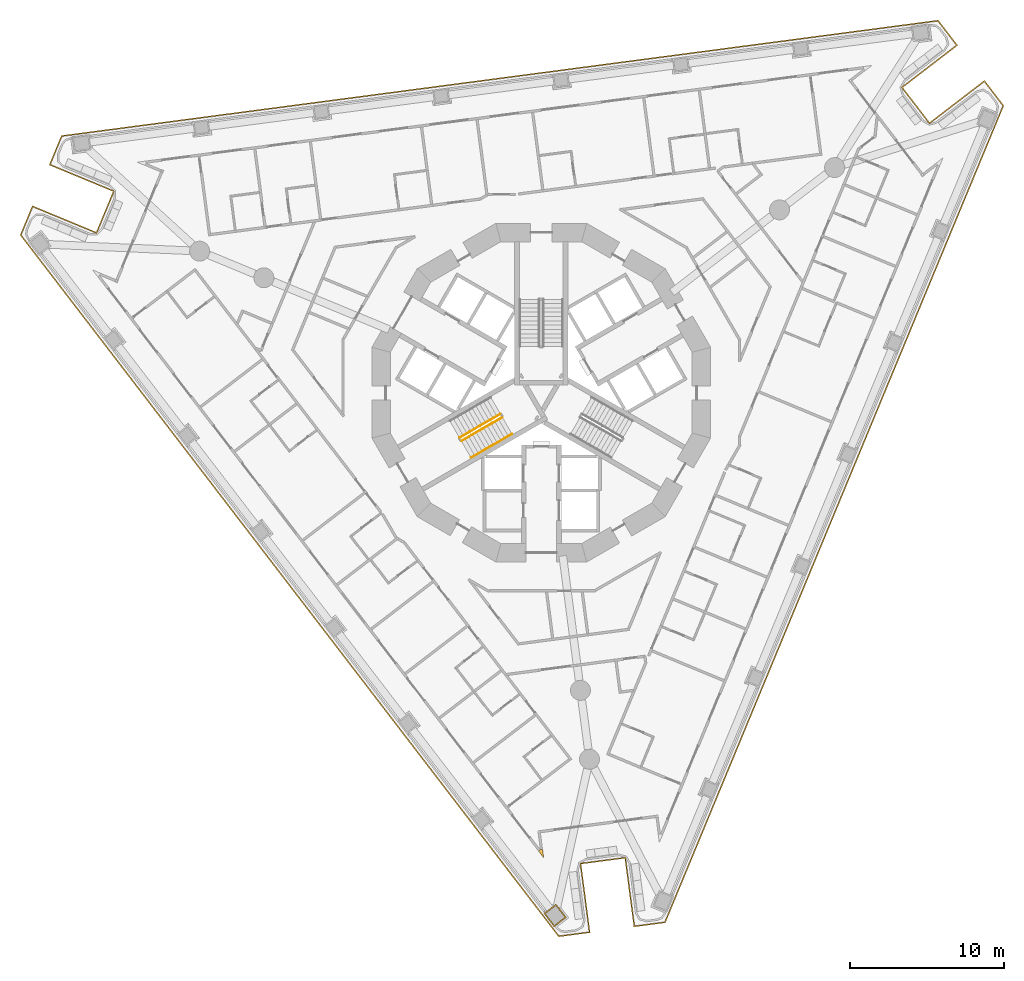
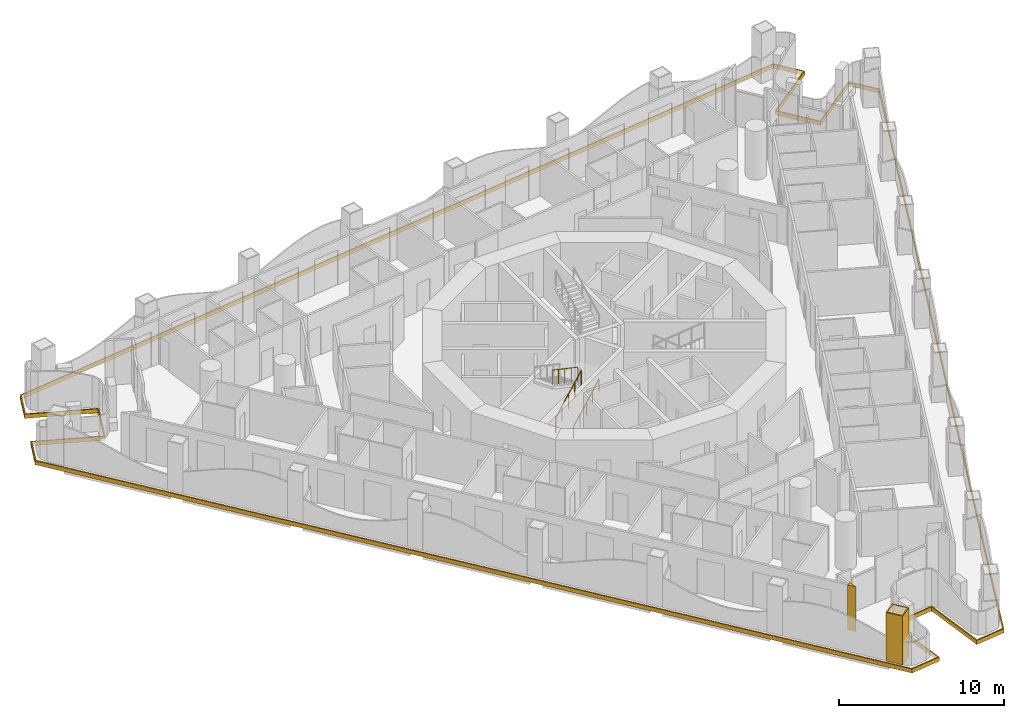
# One storey, part 13 of 19: 4 railings, 3 coverings.
"""IFC4 building model written with IfcOpenShell, lengths in metres."""

from ifc_helpers import new_model, si_unit, direction, frame, origin, origin_2d, place, context, subcontext, project, spatial, polyline, circle, outline, extrude, material, layer, layer_set, type_object, element, save


model = new_model("IFC4")

# Units and contexts
model_context = context("Model", 3, precision=1e-05, world=origin(), true_north=direction((0.0, 1.0)))
body_context = subcontext(model_context, "Body", "Model", "MODEL_VIEW")
ifc_project = project(units=[si_unit("LENGTHUNIT", "METRE"), si_unit("AREAUNIT", "SQUARE_METRE"), si_unit("VOLUMEUNIT", "CUBIC_METRE"), si_unit("PLANEANGLEUNIT", "RADIAN"), si_unit("MASSUNIT", "GRAM", prefix="KILO")], contexts=[model_context])

# Site, building, storey
site_placement = place(None, origin())
site = spatial("IfcSite", under=ifc_project, at=site_placement, CompositionType="ELEMENT")
building_placement = place(site_placement, origin())
building = spatial("IfcBuilding", under=site, at=building_placement, Name="Trine Commons Tower", CompositionType="ELEMENT")
storey_placement = place(building_placement, frame((0.0, 0.0, 75.60009765625)))
storey = spatial("IfcBuildingStorey", under=building, at=storey_placement, Name="L18", CompositionType="ELEMENT", Elevation=75.60009765625)

# Coverings
ifc_material_1 = material(Name="Aluminium-framed insulated wall panel", Category="aluminium")
ifc_layer_1 = layer(ifc_material_1, 0.14990234375)
ifc_layer_set_1 = layer_set([ifc_layer_1], Name="Aluminium-framed insulated wall panel")
covering_type_1 = type_object("IfcCoveringType", Name="Glazing corner post, aluminium", PredefinedType="CLADDING", material=ifc_layer_set_1)
covering_1_placement = place(storey_placement, origin())
element("IfcCovering", 1, at=covering_1_placement, inside=storey, type_object=covering_type_1, Name="Glazing corner post 2-12", PredefinedType="CLADDING", context=body_context, shape_type="SweptSolid", body=[
    extrude(outline(polyline([(79.818603515625, 32.697021484375), (80.159423828125, 32.2529296875), (80.086181640625, 32.80810546875), (79.9375, 32.788330078125), (79.818603515625, 32.697021484375)])), origin(), (0.0, 0.0, 1.0), 3.2998046875),
])
ifc_material_2 = material(Name="Limestone, honed", Category="masonry")
ifc_layer_2 = layer(ifc_material_2, 0.074951171875)
ifc_layer_set_2 = layer_set([ifc_layer_2], Name="Limestone, honed")
covering_type_2 = type_object("IfcCoveringType", Name="Limestone column cladding 75", PredefinedType="CLADDING", material=ifc_layer_set_2)
covering_2_placement = place(storey_placement, origin())
element("IfcCovering", 2, at=covering_2_placement, inside=storey, type_object=covering_type_2, Name="Limestone pier cladding 2-01", PredefinedType="CLADDING", context=body_context, shape_type="SweptSolid", body=[
    extrude(outline(polyline([(80.96142578125, 29.2529296875), (80.16796875, 28.644287109375), (80.837646484375, 27.771484375), (81.631103515625, 28.38037109375), (80.96142578125, 29.2529296875)]), holes=[polyline([(80.947509765625, 29.14794921875), (80.273193359375, 28.63037109375), (80.8515625, 27.876708984375), (81.52587890625, 28.394287109375), (80.947509765625, 29.14794921875)])]), origin(), (0.0, 0.0, 1.0), 3.599853515625),
])
ifc_layer_3 = layer(ifc_material_2, 0.074951171875)
ifc_layer_set_3 = layer_set([ifc_layer_3], Name="Limestone, honed")
covering_type_3 = type_object("IfcCoveringType", Name="Limestone spandrel panel 75", PredefinedType="CLADDING", material=ifc_layer_set_3)
covering_3_placement = place(storey_placement, frame((0.0, 0.0, -0.300048828125)))
element("IfcCovering", 3, at=covering_3_placement, inside=storey, type_object=covering_type_3, Name="Limestone spandrel panel 2-01", PredefinedType="CLADDING", context=body_context, shape_type="SweptSolid", body=[
    extrude(outline(polyline([(85.423583984375, 32.220458984375), (86.010986328125, 27.7587890625), (88.07568359375, 28.03076171875), (110.083740234375, 81.1630859375), (108.816162109375, 82.815185546875), (105.24609375, 80.07568359375), (103.510986328125, 82.3369140625), (107.081298828125, 85.076416015625), (105.8134765625, 86.728515625), (48.79541015625, 79.2216796875), (47.998291015625, 77.2978515625), (52.156005859375, 75.57568359375), (51.065185546875, 72.94287109375), (46.90771484375, 74.664794921875), (46.11083984375, 72.740966796875), (81.120849609375, 27.114990234375), (83.185302734375, 27.386962890625), (82.59814453125, 31.848388671875), (85.423583984375, 32.220458984375)]), holes=[polyline([(108.80224609375, 82.710205078125), (109.998046875, 81.15185546875), (88.02294921875, 28.099365234375), (86.07568359375, 27.843017578125), (85.48828125, 32.304443359375), (82.513916015625, 31.912841796875), (83.101318359375, 27.451416015625), (81.154052734375, 27.195068359375), (46.19677734375, 72.752197265625), (46.948486328125, 74.56689453125), (51.105712890625, 72.8447265625), (52.25390625, 75.616455078125), (48.096435546875, 77.33837890625), (48.847900390625, 79.153076171875), (105.780517578125, 86.6484375), (106.97607421875, 85.090087890625), (103.406005859375, 82.3505859375), (105.232177734375, 79.970703125), (108.80224609375, 82.710205078125)])]), origin(), (0.0, 0.0, 1.0), 0.300048828125),
])

# Railings
ifc_material_3 = material(Name="Stainless steel balustrade", Category="steel")
railing_type_1 = type_object("IfcRailingType", Name="Stair guard, steel balustrade 1100", PredefinedType="GUARDRAIL", material=ifc_material_3)
railing_1_placement = place(storey_placement, frame((74.80517578125, 59.3564453125, 0.14990234375)))
element("IfcRailing", 4, at=railing_1_placement, inside=storey, type_object=railing_type_1, Name="L18 ST2A stair guard 1", PredefinedType="GUARDRAIL", context=body_context, shape_type="SweptSolid", body=[
    extrude(circle(Radius=0.02392578125, at=origin_2d()), frame((0.0, 0.0, 1.076171875), z_axis=(0.76340495495, 0.440743040072, 0.472184759798), x_axis=(-0.499992328818, 0.866029832698, 0.0)), (0.0, 0.0, 1.0), 3.494140625),
    extrude(circle(Radius=0.02099609375, at=origin_2d()), origin(), (0.0, 0.0, 1.0), 1.052001953125),
    extrude(circle(Radius=0.02099609375, at=origin_2d()), frame((0.6669921875, 0.385009765625, 0.41259765625)), (0.0, 0.0, 1.0), 1.052001953125),
    extrude(circle(Radius=0.02099609375, at=origin_2d()), frame((1.333740234375, 0.77001953125, 0.824951171875)), (0.0, 0.0, 1.0), 1.052001953125),
    extrude(circle(Radius=0.02099609375, at=origin_2d()), frame((2.00048828125, 1.155029296875, 1.2373046875)), (0.0, 0.0, 1.0), 1.052001953125),
    extrude(circle(Radius=0.02099609375, at=origin_2d()), frame((2.66748046875, 1.5400390625, 1.64990234375)), (0.0, 0.0, 1.0), 1.052001953125),
])
railing_2_placement = place(storey_placement, frame((77.34765625, 61.113037109375, 1.949951171875)))
element("IfcRailing", 5, at=railing_2_placement, inside=storey, type_object=railing_type_1, Name="L18 ST2A stair guard 3", PredefinedType="GUARDRAIL", context=body_context, shape_type="SweptSolid", body=[
    extrude(circle(Radius=0.02392578125, at=origin_2d()), frame((0.0, 0.0, 1.076171875), z_axis=(-0.76340495495, -0.440743040072, 0.472184759798), x_axis=(0.499992328818, -0.866029832698, 0.0)), (0.0, 0.0, 1.0), 3.494140625),
    extrude(circle(Radius=0.02099609375, at=origin_2d()), origin(), (0.0, 0.0, 1.0), 1.052001953125),
    extrude(circle(Radius=0.02099609375, at=origin_2d()), frame((-0.6669921875, -0.385009765625, 0.41259765625)), (0.0, 0.0, 1.0), 1.052001953125),
    extrude(circle(Radius=0.02099609375, at=origin_2d()), frame((-1.333740234375, -0.77001953125, 0.824951171875)), (0.0, 0.0, 1.0), 1.052001953125),
    extrude(circle(Radius=0.02099609375, at=origin_2d()), frame((-2.00048828125, -1.155029296875, 1.2373046875)), (0.0, 0.0, 1.0), 1.052001953125),
    extrude(circle(Radius=0.02099609375, at=origin_2d()), frame((-2.66748046875, -1.5400390625, 1.64990234375)), (0.0, 0.0, 1.0), 1.052001953125),
])
ifc_material_4 = material(Name="Stainless steel handrail", Category="steel")
railing_type_2 = type_object("IfcRailingType", Name="Stair handrail, steel 900", PredefinedType="HANDRAIL", material=ifc_material_4)
for number, where, name in (
    (6, (75.43017578125, 58.27392578125, 0.14990234375), "L18 ST2A stair handrail 1"),
    (7, (76.763916015625, 59.0439453125, 0.974853515625), "L18 ST2A stair handrail 2"),
):
    element("IfcRailing", number, at=place(storey_placement, frame(where)), inside=storey, type_object=railing_type_2, Name=name, PredefinedType="HANDRAIL", context=body_context, shape_type="SweptSolid", body=[
        extrude(circle(Radius=0.02099609375, at=origin_2d()), frame((0.0, 0.0, 0.87890625), z_axis=(0.76340495495, 0.440743040072, 0.472184759798), x_axis=(-0.499992328818, 0.866029832698, 0.0)), (0.0, 0.0, 1.0), 1.7470703125),
        extrude(circle(Radius=0.01513671875, at=origin_2d()), origin(), (0.0, 0.0, 1.0), 0.85791015625),
        extrude(circle(Radius=0.01513671875, at=origin_2d()), frame((0.6669921875, 0.385009765625, 0.41259765625)), (0.0, 0.0, 1.0), 0.85791015625),
        extrude(circle(Radius=0.01513671875, at=origin_2d()), frame((1.333740234375, 0.77001953125, 0.824951171875)), (0.0, 0.0, 1.0), 0.85791015625),
    ])

save(model, "model.ifc")
